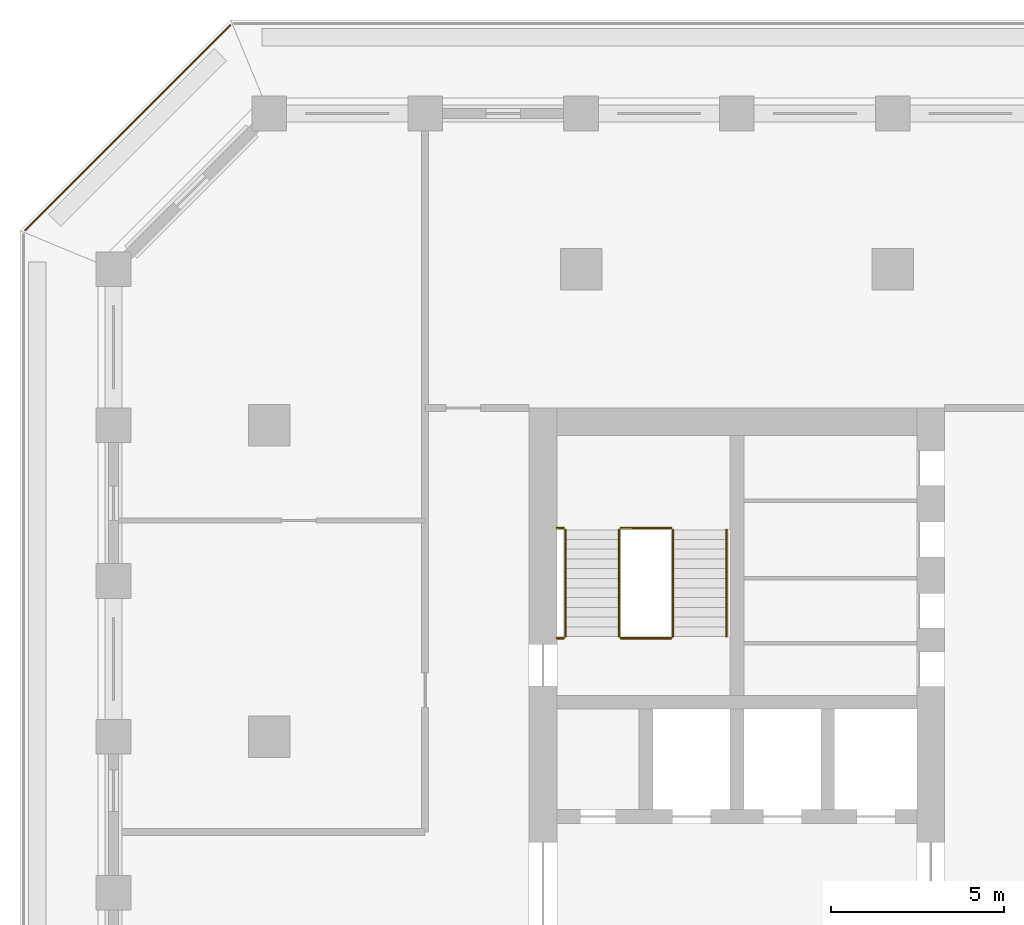
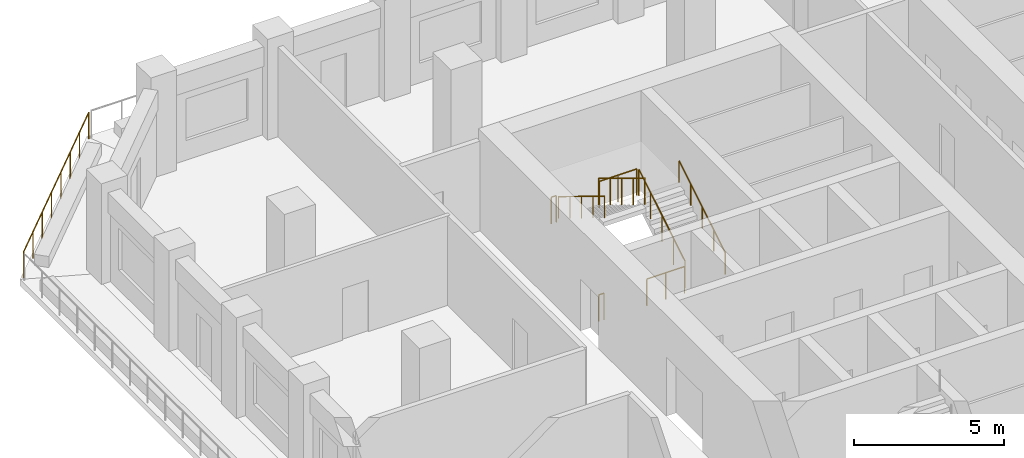
# One storey, part 13 of 16: 9 railings.
"""IFC4 building model written with IfcOpenShell, lengths in metres."""

from ifc_helpers import new_model, si_unit, direction, frame, origin, origin_2d, place, context, subcontext, project, spatial, circle, extrude, material, type_object, element, save


model = new_model("IFC4")

# Units and contexts
model_context = context("Model", 3, precision=1e-05, world=origin(), true_north=direction((0.0, 1.0)))
body_context = subcontext(model_context, "Body", "Model", "MODEL_VIEW")
ifc_project = project(units=[si_unit("LENGTHUNIT", "METRE"), si_unit("AREAUNIT", "SQUARE_METRE"), si_unit("VOLUMEUNIT", "CUBIC_METRE"), si_unit("PLANEANGLEUNIT", "RADIAN"), si_unit("MASSUNIT", "GRAM", prefix="KILO")], contexts=[model_context])

# Site, building, storey
site_placement = place(None, origin())
site = spatial("IfcSite", under=ifc_project, at=site_placement, CompositionType="ELEMENT")
building_placement = place(site_placement, origin())
building = spatial("IfcBuilding", under=site, at=building_placement, Name="Corbel Stack Research Tower", CompositionType="ELEMENT")
storey_placement = place(building_placement, frame((0.0, 0.0, 195.60009765625)))
storey = spatial("IfcBuildingStorey", under=building, at=storey_placement, Name="L44", CompositionType="ELEMENT", Elevation=195.60009765625)

# Railings
ifc_material_1 = material(Name="Steel S355", Category="steel")
railing_type_1 = type_object("IfcRailingType", Name="Stair guard 1100", PredefinedType="GUARDRAIL", material=ifc_material_1)
railing_1_placement = place(storey_placement, frame((-6.35009765625, 11.89990234375, 0.170654296875)))
element("IfcRailing", 1, at=railing_1_placement, inside=storey, type_object=railing_type_1, Name="L44 ST-W2 stair guard 1", PredefinedType="GUARDRAIL", context=body_context, shape_type="SweptSolid", body=[
    extrude(circle(Radius=0.02392578125, at=origin_2d()), frame((0.0, 0.0, 1.076171875), z_axis=(0.0, 0.853666305674, 0.52082035152), x_axis=(-1.0, 0.0, 0.0)), (0.0, 0.0, 1.0), 3.608154296875),
    extrude(circle(Radius=0.02099609375, at=origin_2d()), origin(), (0.0, 0.0, 1.0), 1.052001953125),
    extrude(circle(Radius=0.02099609375, at=origin_2d()), frame((0.0, 0.77001953125, 0.4697265625)), (0.0, 0.0, 1.0), 1.052001953125),
    extrude(circle(Radius=0.02099609375, at=origin_2d()), frame((0.0, 1.5400390625, 0.939453125)), (0.0, 0.0, 1.0), 1.052001953125),
    extrude(circle(Radius=0.02099609375, at=origin_2d()), frame((0.0, 2.31005859375, 1.409423828125)), (0.0, 0.0, 1.0), 1.052001953125),
    extrude(circle(Radius=0.02099609375, at=origin_2d()), frame((0.0, 3.080078125, 1.879150390625)), (0.0, 0.0, 1.0), 1.052001953125),
])
railing_2_placement = place(storey_placement, frame((-6.39990234375, 15.030029296875, 2.0498046875)))
element("IfcRailing", 2, at=railing_2_placement, inside=storey, type_object=railing_type_1, Name="L44 ST-W2 stair guard 2", PredefinedType="GUARDRAIL", context=body_context, shape_type="SweptSolid", body=[
    extrude(circle(Radius=0.02392578125, at=origin_2d()), frame((0.0, 0.0, 1.076171875), z_axis=(-1.0, 0.0, 0.0), x_axis=(0.0, -1.0, 0.0)), (0.0, 0.0, 1.0), 1.4501953125),
    extrude(circle(Radius=0.02099609375, at=origin_2d()), origin(), (0.0, 0.0, 1.0), 1.052001953125),
    extrude(circle(Radius=0.02099609375, at=origin_2d()), frame((-0.72509765625, 0.0, 0.0)), (0.0, 0.0, 1.0), 1.052001953125),
    extrude(circle(Radius=0.02099609375, at=origin_2d()), frame((-1.4501953125, 0.0, 0.0)), (0.0, 0.0, 1.0), 1.052001953125),
])
railing_3_placement = place(storey_placement, frame((-9.5, 15.030029296875, 2.0498046875)))
element("IfcRailing", 3, at=railing_3_placement, inside=storey, type_object=railing_type_1, Name="L44 ST-W2 stair guard 3", PredefinedType="GUARDRAIL", context=body_context, shape_type="SweptSolid", body=[
    extrude(circle(Radius=0.02392578125, at=origin_2d()), frame((0.0, 0.0, 1.076171875), z_axis=(-1.0, 0.0, 0.0), x_axis=(0.0, -1.0, 0.0)), (0.0, 0.0, 1.0), 0.199951171875),
    extrude(circle(Radius=0.02099609375, at=origin_2d()), origin(), (0.0, 0.0, 1.0), 1.052001953125),
    extrude(circle(Radius=0.02099609375, at=origin_2d()), frame((-0.199951171875, 0.0, 0.0)), (0.0, 0.0, 1.0), 1.052001953125),
])
railing_4_placement = place(storey_placement, frame((-7.89990234375, 14.97998046875, 2.220703125)))
element("IfcRailing", 4, at=railing_4_placement, inside=storey, type_object=railing_type_1, Name="L44 ST-W2 stair guard 4", PredefinedType="GUARDRAIL", context=body_context, shape_type="SweptSolid", body=[
    extrude(circle(Radius=0.02392578125, at=origin_2d()), frame((0.0, 0.0, 1.076171875), z_axis=(0.0, -0.853666305674, 0.52082035152), x_axis=(1.0, 0.0, 0.0)), (0.0, 0.0, 1.0), 3.608154296875),
    extrude(circle(Radius=0.02099609375, at=origin_2d()), origin(), (0.0, 0.0, 1.0), 1.052001953125),
    extrude(circle(Radius=0.02099609375, at=origin_2d()), frame((0.0, -0.77001953125, 0.4697265625)), (0.0, 0.0, 1.0), 1.052001953125),
    extrude(circle(Radius=0.02099609375, at=origin_2d()), frame((0.0, -1.5400390625, 0.939453125)), (0.0, 0.0, 1.0), 1.052001953125),
    extrude(circle(Radius=0.02099609375, at=origin_2d()), frame((0.0, -2.31005859375, 1.409423828125)), (0.0, 0.0, 1.0), 1.052001953125),
    extrude(circle(Radius=0.02099609375, at=origin_2d()), frame((0.0, -3.080078125, 1.879150390625)), (0.0, 0.0, 1.0), 1.052001953125),
])
railing_5_placement = place(storey_placement, frame((-6.39990234375, 11.85009765625, 0.0)))
element("IfcRailing", 5, at=railing_5_placement, inside=storey, type_object=railing_type_1, Name="L44 ST-W2 stair guard 5", PredefinedType="GUARDRAIL", context=body_context, shape_type="SweptSolid", body=[
    extrude(circle(Radius=0.02392578125, at=origin_2d()), frame((0.0, 0.0, 1.076171875), z_axis=(-1.0, 0.0, 0.0), x_axis=(0.0, -1.0, 0.0)), (0.0, 0.0, 1.0), 1.4501953125),
    extrude(circle(Radius=0.02099609375, at=origin_2d()), origin(), (0.0, 0.0, 1.0), 1.052001953125),
    extrude(circle(Radius=0.02099609375, at=origin_2d()), frame((-0.72509765625, 0.0, 0.0)), (0.0, 0.0, 1.0), 1.052001953125),
    extrude(circle(Radius=0.02099609375, at=origin_2d()), frame((-1.4501953125, 0.0, 0.0)), (0.0, 0.0, 1.0), 1.052001953125),
])
railing_6_placement = place(storey_placement, frame((-9.5, 11.85009765625, 0.0)))
element("IfcRailing", 6, at=railing_6_placement, inside=storey, type_object=railing_type_1, Name="L44 ST-W2 stair guard 6", PredefinedType="GUARDRAIL", context=body_context, shape_type="SweptSolid", body=[
    extrude(circle(Radius=0.02392578125, at=origin_2d()), frame((0.0, 0.0, 1.076171875), z_axis=(-1.0, 0.0, 0.0), x_axis=(0.0, -1.0, 0.0)), (0.0, 0.0, 1.0), 0.199951171875),
    extrude(circle(Radius=0.02099609375, at=origin_2d()), origin(), (0.0, 0.0, 1.0), 1.052001953125),
    extrude(circle(Radius=0.02099609375, at=origin_2d()), frame((-0.199951171875, 0.0, 0.0)), (0.0, 0.0, 1.0), 1.052001953125),
])
ifc_material_2 = material(Name="Steel S355", Category="steel")
railing_type_2 = type_object("IfcRailingType", Name="Stair handrail 900", PredefinedType="HANDRAIL", material=ifc_material_2)
railing_7_placement = place(storey_placement, frame((-4.800048828125, 11.89990234375, 0.170654296875)))
element("IfcRailing", 7, at=railing_7_placement, inside=storey, type_object=railing_type_2, Name="L44 ST-W2 stair handrail 1", PredefinedType="HANDRAIL", context=body_context, shape_type="SweptSolid", body=[
    extrude(circle(Radius=0.02392578125, at=origin_2d()), frame((0.0, 0.0, 0.8759765625), z_axis=(0.0, 0.853666305674, 0.52082035152), x_axis=(-1.0, 0.0, 0.0)), (0.0, 0.0, 1.0), 3.608154296875),
    extrude(circle(Radius=0.02099609375, at=origin_2d()), origin(), (0.0, 0.0, 1.0), 0.851806640625),
    extrude(circle(Radius=0.02099609375, at=origin_2d()), frame((0.0, 0.77001953125, 0.4697265625)), (0.0, 0.0, 1.0), 0.851806640625),
    extrude(circle(Radius=0.02099609375, at=origin_2d()), frame((0.0, 1.5400390625, 0.939453125)), (0.0, 0.0, 1.0), 0.851806640625),
    extrude(circle(Radius=0.02099609375, at=origin_2d()), frame((0.0, 2.31005859375, 1.409423828125)), (0.0, 0.0, 1.0), 0.851806640625),
    extrude(circle(Radius=0.02099609375, at=origin_2d()), frame((0.0, 3.080078125, 1.879150390625)), (0.0, 0.0, 1.0), 0.851806640625),
])
railing_8_placement = place(storey_placement, frame((-9.449951171875, 14.97998046875, 2.220703125)))
element("IfcRailing", 8, at=railing_8_placement, inside=storey, type_object=railing_type_2, Name="L44 ST-W2 stair handrail 2", PredefinedType="HANDRAIL", context=body_context, shape_type="SweptSolid", body=[
    extrude(circle(Radius=0.02392578125, at=origin_2d()), frame((0.0, 0.0, 0.8759765625), z_axis=(0.0, -0.853666305674, 0.52082035152), x_axis=(1.0, 0.0, 0.0)), (0.0, 0.0, 1.0), 3.608154296875),
    extrude(circle(Radius=0.02099609375, at=origin_2d()), origin(), (0.0, 0.0, 1.0), 0.851806640625),
    extrude(circle(Radius=0.02099609375, at=origin_2d()), frame((0.0, -0.77001953125, 0.4697265625)), (0.0, 0.0, 1.0), 0.851806640625),
    extrude(circle(Radius=0.02099609375, at=origin_2d()), frame((0.0, -1.5400390625, 0.939453125)), (0.0, 0.0, 1.0), 0.851806640625),
    extrude(circle(Radius=0.02099609375, at=origin_2d()), frame((0.0, -2.31005859375, 1.409423828125)), (0.0, 0.0, 1.0), 0.851806640625),
    extrude(circle(Radius=0.02099609375, at=origin_2d()), frame((0.0, -3.080078125, 1.879150390625)), (0.0, 0.0, 1.0), 0.851806640625),
])
ifc_material_3 = material(Name="Powder-coated steel guard", Category="steel")
railing_type_3 = type_object("IfcRailingType", Name="Steel and glass guard 1100", PredefinedType="GUARDRAIL", material=ifc_material_3)
railing_9_placement = place(storey_placement, frame((-19.127685546875, 29.54931640625, 0.0)))
element("IfcRailing", 9, at=railing_9_placement, inside=storey, type_object=railing_type_3, Name="Loggia guard L44 NW", PredefinedType="GUARDRAIL", context=body_context, shape_type="SweptSolid", body=[
    extrude(circle(Radius=0.02392578125, at=origin_2d()), frame((0.0, 0.0, 1.076171875), z_axis=(-0.707106781187, -0.707106781187, 0.0), x_axis=(0.707106781187, -0.707106781187, 0.0)), (0.0, 0.0, 1.0), 8.37451171875),
    extrude(circle(Radius=0.02099609375, at=origin_2d()), origin(), (0.0, 0.0, 1.0), 1.052001953125),
    extrude(circle(Radius=0.02099609375, at=origin_2d()), frame((-0.845947265625, -0.845947265625, 0.0)), (0.0, 0.0, 1.0), 1.052001953125),
    extrude(circle(Radius=0.02099609375, at=origin_2d()), frame((-1.69189453125, -1.69189453125, 0.0)), (0.0, 0.0, 1.0), 1.052001953125),
    extrude(circle(Radius=0.02099609375, at=origin_2d()), frame((-2.537841796875, -2.537841796875, 0.0)), (0.0, 0.0, 1.0), 1.052001953125),
    extrude(circle(Radius=0.02099609375, at=origin_2d()), frame((-3.3837890625, -3.3837890625, 0.0)), (0.0, 0.0, 1.0), 1.052001953125),
    extrude(circle(Radius=0.02099609375, at=origin_2d()), frame((-4.229736328125, -4.229736328125, 0.0)), (0.0, 0.0, 1.0), 1.052001953125),
    extrude(circle(Radius=0.02099609375, at=origin_2d()), frame((-5.07568359375, -5.07568359375, 0.0)), (0.0, 0.0, 1.0), 1.052001953125),
    extrude(circle(Radius=0.02099609375, at=origin_2d()), frame((-5.921630859375, -5.921630859375, 0.0)), (0.0, 0.0, 1.0), 1.052001953125),
])

save(model, "model.ifc")
